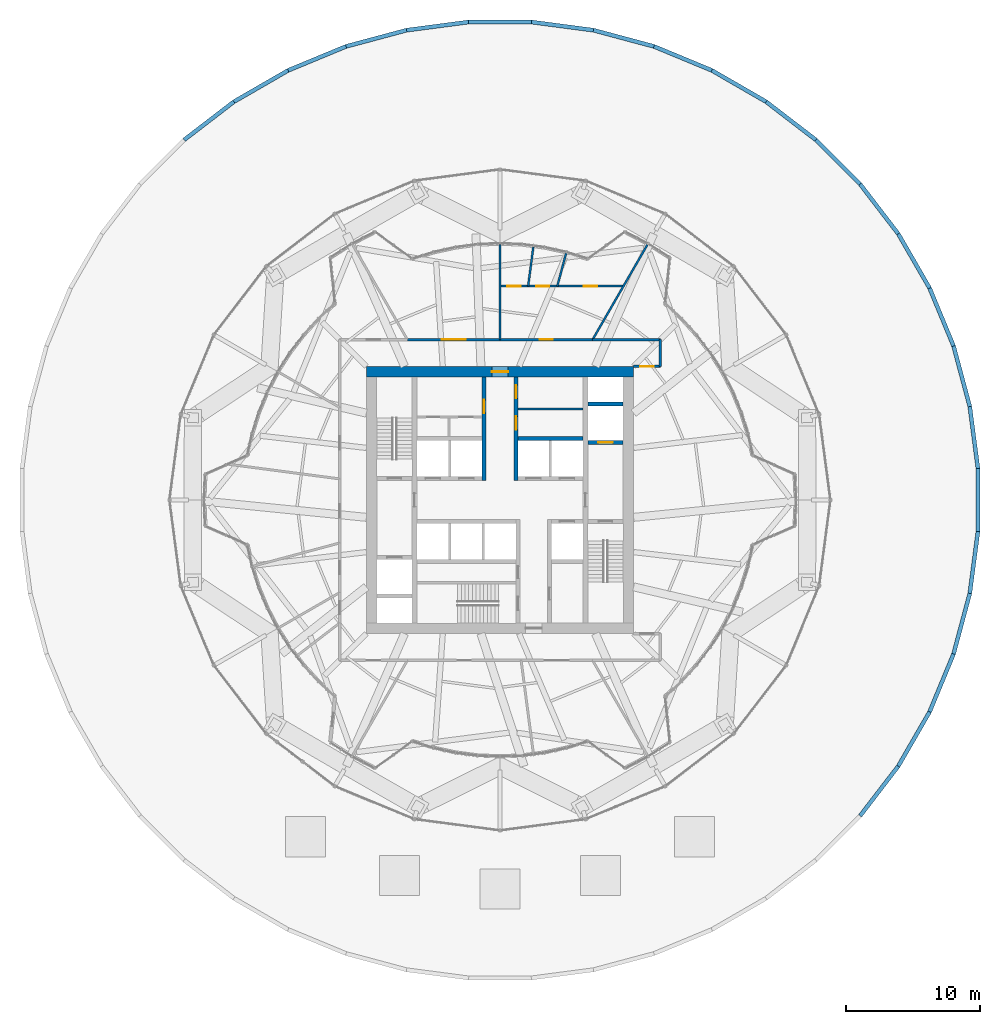
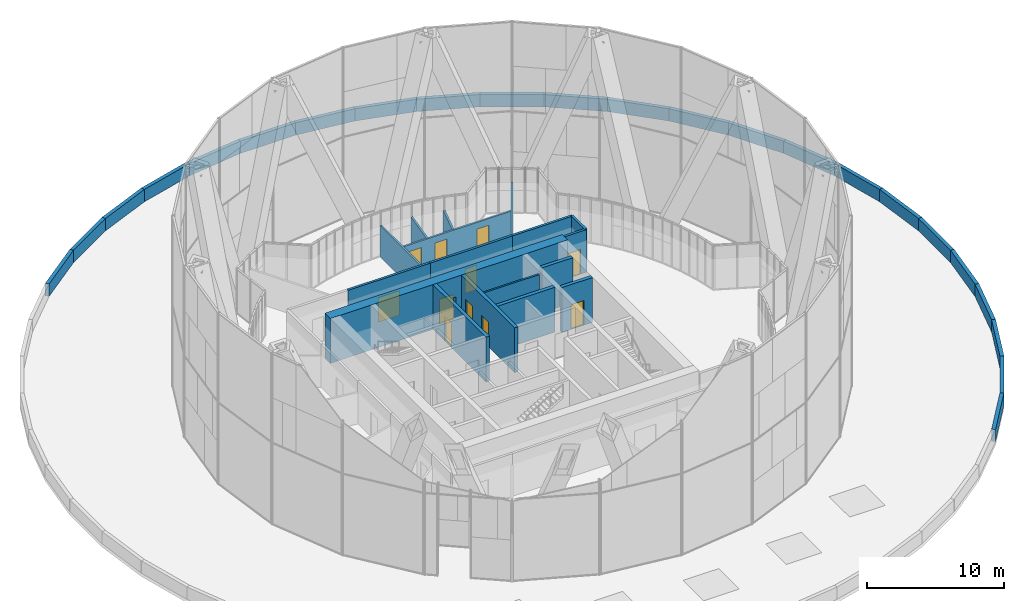
# One storey, part 25 of 27: 40 walls, 11 doors, 11 openings.
"""IFC4 building model written with IfcOpenShell, lengths in metres."""

from ifc_helpers import new_model, si_unit, direction, frame, frame_2d, origin, place, context, subcontext, project, spatial, rectangle, extrude, material, layer, layer_set, type_object, element, fill, save


model = new_model("IFC4")

# Units and contexts
model_context = context("Model", 3, precision=1e-05, world=origin(), true_north=direction((0.0, 1.0)))
body_context = subcontext(model_context, "Body", "Model", "MODEL_VIEW")
ifc_project = project(units=[si_unit("LENGTHUNIT", "METRE"), si_unit("AREAUNIT", "SQUARE_METRE"), si_unit("VOLUMEUNIT", "CUBIC_METRE"), si_unit("PLANEANGLEUNIT", "RADIAN"), si_unit("MASSUNIT", "GRAM", prefix="KILO")], contexts=[model_context])

# Site, building, storey
site_placement = place(None, origin())
site = spatial("IfcSite", under=ifc_project, at=site_placement, CompositionType="ELEMENT")
building_placement = place(site_placement, origin())
building = spatial("IfcBuilding", under=site, at=building_placement, Name="Golbaran Civic Tower", CompositionType="ELEMENT")
storey_placement = place(building_placement, frame((0.0, 0.0, 21.0)))
storey = spatial("IfcBuildingStorey", under=building, at=storey_placement, Name="L04", CompositionType="ELEMENT", Elevation=21.0)

# Wall
ifc_material_1 = material(Name="Concrete block", Category="concrete")
ifc_layer_1 = layer(ifc_material_1, 0.14990234375, Name="Concrete block")
ifc_layer_set_1 = layer_set([ifc_layer_1], Name="Concrete block")
wall_type_1 = type_object("IfcWallType", Name="BLOCKWORK PARTITION 150", PredefinedType="PARTITIONING", material=ifc_layer_set_1)
wall_1_placement = place(storey_placement, frame((1.35009765625, 6.800048828125, 0.0), z_axis=(0.0, 0.0, 1.0), x_axis=(1.0, 0.0, 0.0)))
element("IfcWall", 1, at=wall_1_placement, inside=storey, type_object=wall_type_1, Name="Toilet block partition TN1 L04", PredefinedType="PARTITIONING", context=body_context, shape_type="SweptSolid", body=[
    extrude(rectangle(XDim=4.849853515625, YDim=0.14990234375, at=frame_2d((2.4248046875, 0.0))), origin(), (0.0, 0.0, 1.0), 3.75),
])

# Wall, opening, door
ifc_material_2 = material(Name="Concrete C50/60", Category="concrete")
ifc_layer_2 = layer(ifc_material_2, 0.800048828125, Name="Concrete C50/60")
ifc_layer_set_2 = layer_set([ifc_layer_2], Name="Concrete C50/60")
wall_type_2 = type_object("IfcWallType", Name="CORE WALL CONCRETE 800", PredefinedType="SOLIDWALL", material=ifc_layer_set_2)
wall_2_placement = place(storey_placement, frame((-10.0, 9.60009765625, 0.0), z_axis=(0.0, 0.0, 1.0), x_axis=(1.0, 0.0, 0.0)))
wall_2 = element("IfcWall", 2, at=wall_2_placement, inside=storey, type_object=wall_type_2, Name="Core wall CN L04", PredefinedType="SOLIDWALL", context=body_context, shape_type="SweptSolid", body=[
    extrude(rectangle(XDim=20.0, YDim=0.800048828125, at=frame_2d((10.0, 0.0))), origin(), (0.0, 0.0, 1.0), 4.0),
])
opening_1_placement = place(wall_2_placement, frame((9.39990234375, 0.0, 0.0)))
opening_1 = element("IfcOpeningElement", 3, at=opening_1_placement, cuts=wall_2, Name="Opening L04.CN", PredefinedType="OPENING", context=body_context, shape_type="SweptSolid", body=[
    extrude(rectangle(XDim=1.199951171875, YDim=2.199951171875, at=frame_2d((0.60009765625, 1.10009765625))), frame((0.0, 0.409912109375, 0.0), z_axis=(0.0, -1.0, 0.0), x_axis=(1.0, 0.0, 0.0)), (0.0, 0.0, 1.0), 0.820068359375),
])
ifc_material_3 = material(Name="Timber door set in steel frame", Category="steel")
door_type_1 = type_object("IfcDoorType", Name="CORE DOOR 1200x2200", OperationType="DOUBLE_DOOR_SINGLE_SWING", PredefinedType="DOOR", material=ifc_material_3)
door_1_placement = place(opening_1_placement, origin())
door_1 = element("IfcDoor", 4, at=door_1_placement, inside=storey, type_object=door_type_1, Name="Core door north", OperationType="DOUBLE_DOOR_SINGLE_SWING", OverallHeight=2.199951171875, OverallWidth=1.199951171875, PredefinedType="DOOR", context=body_context, shape_type="SweptSolid", body=[
    extrude(rectangle(XDim=1.199951171875, YDim=2.199951171875, at=frame_2d((0.60009765625, 1.10009765625))), frame((0.0, 0.02490234375, 0.0), z_axis=(0.0, -1.0, 0.0), x_axis=(1.0, 0.0, 0.0)), (0.0, 0.0, 1.0), 0.050048828125),
])
fill(opening_1, door_1)

# Walls
ifc_material_4 = material(Name="Gypsum board on steel studs, fire-rated", Category="steel")
ifc_layer_3 = layer(ifc_material_4, 0.199951171875, Name="Gypsum board on steel studs, fire-rated")
ifc_layer_set_3 = layer_set([ifc_layer_3], Name="Gypsum board on steel studs, fire-rated")
wall_type_3 = type_object("IfcWallType", Name="CORRIDOR WALL 200", PredefinedType="PARTITIONING", material=ifc_layer_set_3)
wall_3_placement = place(storey_placement, frame((12.0, 10.0, 0.0), z_axis=(0.0, 0.0, 1.0), x_axis=(0.0, 1.0, 0.0)))
element("IfcWall", 5, at=wall_3_placement, inside=storey, type_object=wall_type_3, Name="Corridor wall L04", PredefinedType="PARTITIONING", context=body_context, shape_type="SweptSolid", body=[
    extrude(rectangle(XDim=2.0, YDim=0.199951171875, at=frame_2d((1.0, 0.0))), origin(), (0.0, 0.0, 1.0), 3.800048828125),
])
wall_4_placement = place(storey_placement, frame((12.0, 12.0, 0.0), z_axis=(0.0, 0.0, 1.0), x_axis=(-1.0, 0.0, 0.0)))
element("IfcWall", 6, at=wall_4_placement, inside=storey, type_object=wall_type_3, Name="Corridor wall L04", PredefinedType="PARTITIONING", context=body_context, shape_type="SweptSolid", body=[
    extrude(rectangle(XDim=5.07177734375, YDim=0.199951171875, at=frame_2d((2.535888671875, 0.0))), origin(), (0.0, 0.0, 1.0), 3.800048828125),
])

# Wall, opening, door
wall_5_placement = place(storey_placement, frame((6.92822265625, 12.0, 0.0), z_axis=(0.0, 0.0, 1.0), x_axis=(-1.0, 0.0, 0.0)))
wall_5 = element("IfcWall", 7, at=wall_5_placement, inside=storey, type_object=wall_type_3, Name="Corridor wall L04", PredefinedType="PARTITIONING", context=body_context, shape_type="SweptSolid", body=[
    extrude(rectangle(XDim=6.92822265625, YDim=0.199951171875, at=frame_2d((3.464111328125, 0.0))), origin(), (0.0, 0.0, 1.0), 3.800048828125),
])
opening_2_placement = place(wall_5_placement, frame((2.964111328125, 0.0, 0.0)))
opening_2 = element("IfcOpeningElement", 8, at=opening_2_placement, cuts=wall_5, Name="Opening L04.04", PredefinedType="OPENING", context=body_context, shape_type="SweptSolid", body=[
    extrude(rectangle(XDim=1.0, YDim=2.199951171875, at=frame_2d((0.5, 1.10009765625))), frame((0.0, 0.10986328125, 0.0), z_axis=(0.0, -1.0, 0.0), x_axis=(1.0, 0.0, 0.0)), (0.0, 0.0, 1.0), 0.219970703125),
])
door_type_2 = type_object("IfcDoorType", Name="OFFICE DOOR 1000x2200", OperationType="SINGLE_SWING_LEFT", PredefinedType="DOOR", material=ifc_material_3)
door_2_placement = place(opening_2_placement, origin())
door_2 = element("IfcDoor", 9, at=door_2_placement, inside=storey, type_object=door_type_2, Name="Waiting Area door L04", OperationType="SINGLE_SWING_RIGHT", OverallHeight=2.199951171875, OverallWidth=1.0, PredefinedType="DOOR", context=body_context, shape_type="SweptSolid", body=[
    extrude(rectangle(XDim=1.0, YDim=2.199951171875, at=frame_2d((0.5, 1.10009765625))), frame((0.0, 0.02490234375, 0.0), z_axis=(0.0, -1.0, 0.0), x_axis=(1.0, 0.0, 0.0)), (0.0, 0.0, 1.0), 0.050048828125),
])
fill(opening_2, door_2)

wall_6_placement = place(storey_placement, frame((0.0, 12.0, 0.0), z_axis=(0.0, 0.0, 1.0), x_axis=(-1.0, 0.0, 0.0)))
wall_6 = element("IfcWall", 10, at=wall_6_placement, inside=storey, type_object=wall_type_3, Name="Corridor wall L04", PredefinedType="PARTITIONING", context=body_context, shape_type="SweptSolid", body=[
    extrude(rectangle(XDim=6.92822265625, YDim=0.199951171875, at=frame_2d((3.464111328125, 0.0))), origin(), (0.0, 0.0, 1.0), 3.800048828125),
])
opening_3_placement = place(wall_6_placement, frame((2.564208984375, 0.0, 0.0)))
opening_3 = element("IfcOpeningElement", 11, at=opening_3_placement, cuts=wall_6, Name="Opening L04.05", PredefinedType="OPENING", context=body_context, shape_type="SweptSolid", body=[
    extrude(rectangle(XDim=1.800048828125, YDim=2.199951171875, at=frame_2d((0.89990234375, 1.10009765625))), frame((0.0, 0.10986328125, 0.0), z_axis=(0.0, -1.0, 0.0), x_axis=(1.0, 0.0, 0.0)), (0.0, 0.0, 1.0), 0.219970703125),
])
door_type_3 = type_object("IfcDoorType", Name="OFFICE DOUBLE DOOR 1800x2200", OperationType="DOUBLE_DOOR_SINGLE_SWING", PredefinedType="DOOR", material=ifc_material_3)
door_3_placement = place(opening_3_placement, origin())
door_3 = element("IfcDoor", 12, at=door_3_placement, inside=storey, type_object=door_type_3, Name="Open Office door L04", OperationType="DOUBLE_DOOR_SINGLE_SWING", OverallHeight=2.199951171875, OverallWidth=1.800048828125, PredefinedType="DOOR", context=body_context, shape_type="SweptSolid", body=[
    extrude(rectangle(XDim=1.800048828125, YDim=2.199951171875, at=frame_2d((0.89990234375, 1.10009765625))), frame((0.0, 0.02490234375, 0.0), z_axis=(0.0, -1.0, 0.0), x_axis=(1.0, 0.0, 0.0)), (0.0, 0.0, 1.0), 0.050048828125),
])
fill(opening_3, door_3)

wall_7_placement = place(storey_placement, frame((10.0, 10.0, 0.0), z_axis=(0.0, 0.0, 1.0), x_axis=(1.0, 0.0, 0.0)))
wall_7 = element("IfcWall", 13, at=wall_7_placement, inside=storey, type_object=wall_type_3, Name="Corridor end wall L04", PredefinedType="PARTITIONING", context=body_context, shape_type="SweptSolid", body=[
    extrude(rectangle(XDim=2.0, YDim=0.199951171875, at=frame_2d((1.0, 0.0))), origin(), (0.0, 0.0, 1.0), 3.800048828125),
])
opening_4_placement = place(wall_7_placement, frame((0.5, 0.0, 0.0)))
opening_4 = element("IfcOpeningElement", 14, at=opening_4_placement, cuts=wall_7, Name="Opening L04.17", PredefinedType="OPENING", context=body_context, shape_type="SweptSolid", body=[
    extrude(rectangle(XDim=1.0, YDim=2.199951171875, at=frame_2d((0.5, 1.10009765625))), frame((0.0, 0.10986328125, 0.0), z_axis=(0.0, -1.0, 0.0), x_axis=(1.0, 0.0, 0.0)), (0.0, 0.0, 1.0), 0.219970703125),
])
door_4_placement = place(opening_4_placement, origin())
door_4 = element("IfcDoor", 15, at=door_4_placement, inside=storey, type_object=door_type_2, Name="Open Office door L04", OperationType="SINGLE_SWING_LEFT", OverallHeight=2.199951171875, OverallWidth=1.0, PredefinedType="DOOR", context=body_context, shape_type="SweptSolid", body=[
    extrude(rectangle(XDim=1.0, YDim=2.199951171875, at=frame_2d((0.5, 1.10009765625))), frame((0.0, 0.02490234375, 0.0), z_axis=(0.0, -1.0, 0.0), x_axis=(1.0, 0.0, 0.0)), (0.0, 0.0, 1.0), 0.050048828125),
])
fill(opening_4, door_4)

# Walls
ifc_material_5 = material(Name="Gypsum board on steel studs", Category="steel")
ifc_layer_4 = layer(ifc_material_5, 0.14990234375, Name="Gypsum board on steel studs")
ifc_layer_set_4 = layer_set([ifc_layer_4], Name="Gypsum board on steel studs")
wall_type_4 = type_object("IfcWallType", Name="OFFICE PARTITION 150", PredefinedType="PARTITIONING", material=ifc_layer_set_4)
wall_8_placement = place(storey_placement, frame((6.92822265625, 12.0, 0.0), z_axis=(0.0, 0.0, 1.0), x_axis=(0.499995243048, 0.866028150195, 0.0)))
element("IfcWall", 16, at=wall_8_placement, inside=storey, type_object=wall_type_4, Name="Partition 60 L04", PredefinedType="PARTITIONING", context=body_context, shape_type="SweptSolid", body=[
    extrude(rectangle(XDim=8.2119140625, YDim=0.14990234375, at=frame_2d((4.10595703125, 0.0))), origin(), (0.0, 0.0, 1.0), 2.7900390625),
])
wall_9_placement = place(storey_placement, frame((0.0, 12.0, 0.0), z_axis=(0.0, 0.0, 1.0), x_axis=(0.0, 1.0, 0.0)))
element("IfcWall", 17, at=wall_9_placement, inside=storey, type_object=wall_type_4, Name="Partition 90 L04", PredefinedType="PARTITIONING", context=body_context, shape_type="SweptSolid", body=[
    extrude(rectangle(XDim=7.12353515625, YDim=0.14990234375, at=frame_2d((3.561767578125, 0.0))), origin(), (0.0, 0.0, 1.0), 2.7900390625),
])

# Wall, openings, doors
wall_10_placement = place(storey_placement, frame((9.237548828125, 16.0, 0.0), z_axis=(0.0, 0.0, 1.0), x_axis=(-1.0, 0.0, 0.0)))
wall_10 = element("IfcWall", 18, at=wall_10_placement, inside=storey, type_object=wall_type_4, Name="Suite partition L04", PredefinedType="PARTITIONING", context=body_context, shape_type="SweptSolid", body=[
    extrude(rectangle(XDim=9.237548828125, YDim=0.14990234375, at=frame_2d((4.61865234375, 0.0))), origin(), (0.0, 0.0, 1.0), 2.7900390625),
])
opening_5_placement = place(wall_10_placement, frame((1.97509765625, 0.0, 0.0)))
opening_5 = element("IfcOpeningElement", 19, at=opening_5_placement, cuts=wall_10, Name="Opening L04.01", PredefinedType="OPENING", context=body_context, shape_type="SweptSolid", body=[
    extrude(rectangle(XDim=1.0, YDim=2.199951171875, at=frame_2d((0.5, 1.10009765625))), frame((0.0, 0.0849609375, 0.0), z_axis=(0.0, -1.0, 0.0), x_axis=(1.0, 0.0, 0.0)), (0.0, 0.0, 1.0), 0.169921875),
])
opening_6_placement = place(wall_10_placement, frame((5.540771484375, 0.0, 0.0)))
opening_6 = element("IfcOpeningElement", 20, at=opening_6_placement, cuts=wall_10, Name="Opening L04.02", PredefinedType="OPENING", context=body_context, shape_type="SweptSolid", body=[
    extrude(rectangle(XDim=1.0, YDim=2.199951171875, at=frame_2d((0.5, 1.10009765625))), frame((0.0, 0.0849609375, 0.0), z_axis=(0.0, -1.0, 0.0), x_axis=(1.0, 0.0, 0.0)), (0.0, 0.0, 1.0), 0.169921875),
])
opening_7_placement = place(wall_10_placement, frame((7.684326171875, 0.0, 0.0)))
opening_7 = element("IfcOpeningElement", 21, at=opening_7_placement, cuts=wall_10, Name="Opening L04.03", PredefinedType="OPENING", context=body_context, shape_type="SweptSolid", body=[
    extrude(rectangle(XDim=1.0, YDim=2.199951171875, at=frame_2d((0.5, 1.10009765625))), frame((0.0, 0.0849609375, 0.0), z_axis=(0.0, -1.0, 0.0), x_axis=(1.0, 0.0, 0.0)), (0.0, 0.0, 1.0), 0.169921875),
])
door_5_placement = place(opening_5_placement, origin())
door_5 = element("IfcDoor", 22, at=door_5_placement, inside=storey, type_object=door_type_2, Name="Office door L04", OperationType="SINGLE_SWING_LEFT", OverallHeight=2.199951171875, OverallWidth=1.0, PredefinedType="DOOR", context=body_context, shape_type="SweptSolid", body=[
    extrude(rectangle(XDim=1.0, YDim=2.199951171875, at=frame_2d((0.5, 1.10009765625))), frame((0.0, 0.02490234375, 0.0), z_axis=(0.0, -1.0, 0.0), x_axis=(1.0, 0.0, 0.0)), (0.0, 0.0, 1.0), 0.050048828125),
])
fill(opening_5, door_5)
door_6_placement = place(opening_6_placement, origin())
door_6 = element("IfcDoor", 23, at=door_6_placement, inside=storey, type_object=door_type_2, Name="Office door L04", OperationType="SINGLE_SWING_RIGHT", OverallHeight=2.199951171875, OverallWidth=1.0, PredefinedType="DOOR", context=body_context, shape_type="SweptSolid", body=[
    extrude(rectangle(XDim=1.0, YDim=2.199951171875, at=frame_2d((0.5, 1.10009765625))), frame((0.0, 0.02490234375, 0.0), z_axis=(0.0, -1.0, 0.0), x_axis=(1.0, 0.0, 0.0)), (0.0, 0.0, 1.0), 0.050048828125),
])
fill(opening_6, door_6)
door_7_placement = place(opening_7_placement, origin())
door_7 = element("IfcDoor", 24, at=door_7_placement, inside=storey, type_object=door_type_2, Name="Director's Office door L04", OperationType="SINGLE_SWING_RIGHT", OverallHeight=2.199951171875, OverallWidth=1.0, PredefinedType="DOOR", context=body_context, shape_type="SweptSolid", body=[
    extrude(rectangle(XDim=1.0, YDim=2.199951171875, at=frame_2d((0.5, 1.10009765625))), frame((0.0, 0.02490234375, 0.0), z_axis=(0.0, -1.0, 0.0), x_axis=(1.0, 0.0, 0.0)), (0.0, 0.0, 1.0), 0.050048828125),
])
fill(opening_7, door_7)

# Walls
wall_11_placement = place(storey_placement, frame((4.287109375, 16.0, 0.0), z_axis=(0.0, 0.0, 1.0), x_axis=(0.258820329209, 0.965925482213, 0.0)))
element("IfcWall", 25, at=wall_11_placement, inside=storey, type_object=wall_type_4, Name="Partition 75 L04", PredefinedType="PARTITIONING", context=body_context, shape_type="SweptSolid", body=[
    extrude(rectangle(XDim=2.55908203125, YDim=0.14990234375, at=frame_2d((1.279541015625, 0.0))), origin(), (0.0, 0.0, 1.0), 2.7900390625),
])
wall_12_placement = place(storey_placement, frame((2.1064453125, 16.0, 0.0), z_axis=(0.0, 0.0, 1.0), x_axis=(0.130492822968, 0.991449253948, 0.0)))
element("IfcWall", 26, at=wall_12_placement, inside=storey, type_object=wall_type_4, Name="Partition 82.5 L04", PredefinedType="PARTITIONING", context=body_context, shape_type="SweptSolid", body=[
    extrude(rectangle(XDim=2.96728515625, YDim=0.14990234375, at=frame_2d((1.483642578125, 0.0))), origin(), (0.0, 0.0, 1.0), 2.7900390625),
])
ifc_material_6 = material(Name="Terracotta brick", Category="masonry")
ifc_layer_5 = layer(ifc_material_6, 0.300048828125, Name="Terracotta brick")
ifc_layer_set_5 = layer_set([ifc_layer_5], Name="Terracotta brick")
wall_type_5 = type_object("IfcWallType", Name="PARAPET WALL 300", PredefinedType="PARAPET", material=ifc_layer_set_5)
wall_13_placement = place(storey_placement, frame((35.773193359375, 2.3447265625, 0.0), z_axis=(0.0, 0.0, 1.0), x_axis=(-0.130523197803, 0.991445255592, 0.0)))
element("IfcWall", 27, at=wall_13_placement, inside=storey, type_object=wall_type_5, Name="Podium roof parapet 1", PredefinedType="PARAPET", context=body_context, shape_type="SweptSolid", body=[
    extrude(rectangle(XDim=4.689208984375, YDim=0.300048828125, at=frame_2d((2.3447265625, 0.0))), origin(), (0.0, 0.0, 1.0), 1.10009765625),
])
wall_14_placement = place(storey_placement, frame((35.1611328125, 6.993896484375, 0.0), z_axis=(0.0, 0.0, 1.0), x_axis=(-0.258793334411, 0.965932715081, 0.0)))
element("IfcWall", 28, at=wall_14_placement, inside=storey, type_object=wall_type_5, Name="Podium roof parapet 2", PredefinedType="PARAPET", context=body_context, shape_type="SweptSolid", body=[
    extrude(rectangle(XDim=4.689453125, YDim=0.300048828125, at=frame_2d((2.3447265625, 0.0))), origin(), (0.0, 0.0, 1.0), 1.10009765625),
])
wall_15_placement = place(storey_placement, frame((33.947509765625, 11.523681640625, 0.0), z_axis=(0.0, 0.0, 1.0), x_axis=(-0.382718109354, 0.92386516807, 0.0)))
element("IfcWall", 29, at=wall_15_placement, inside=storey, type_object=wall_type_5, Name="Podium roof parapet 3", PredefinedType="PARAPET", context=body_context, shape_type="SweptSolid", body=[
    extrude(rectangle(XDim=4.689208984375, YDim=0.300048828125, at=frame_2d((2.3447265625, 0.0))), origin(), (0.0, 0.0, 1.0), 1.10009765625),
])
wall_16_placement = place(storey_placement, frame((32.15283203125, 15.85595703125, 0.0), z_axis=(0.0, 0.0, 1.0), x_axis=(-0.499991342483, 0.866030402146, 0.0)))
element("IfcWall", 30, at=wall_16_placement, inside=storey, type_object=wall_type_5, Name="Podium roof parapet 4", PredefinedType="PARAPET", context=body_context, shape_type="SweptSolid", body=[
    extrude(rectangle(XDim=4.689453125, YDim=0.300048828125, at=frame_2d((2.3447265625, 0.0))), origin(), (0.0, 0.0, 1.0), 1.10009765625),
])
wall_17_placement = place(storey_placement, frame((29.80810546875, 19.917236328125, 0.0), z_axis=(0.0, 0.0, 1.0), x_axis=(-0.608776874879, 0.793341488019, 0.0)))
element("IfcWall", 31, at=wall_17_placement, inside=storey, type_object=wall_type_5, Name="Podium roof parapet 5", PredefinedType="PARAPET", context=body_context, shape_type="SweptSolid", body=[
    extrude(rectangle(XDim=4.689208984375, YDim=0.300048828125, at=frame_2d((2.3447265625, 0.0))), origin(), (0.0, 0.0, 1.0), 1.10009765625),
])
wall_18_placement = place(storey_placement, frame((26.953369140625, 23.637451171875, 0.0), z_axis=(0.0, 0.0, 1.0), x_axis=(-0.707106781187, 0.707106781187, 0.0)))
element("IfcWall", 32, at=wall_18_placement, inside=storey, type_object=wall_type_5, Name="Podium roof parapet 6", PredefinedType="PARAPET", context=body_context, shape_type="SweptSolid", body=[
    extrude(rectangle(XDim=4.689453125, YDim=0.300048828125, at=frame_2d((2.3447265625, 0.0))), origin(), (0.0, 0.0, 1.0), 1.10009765625),
])
wall_19_placement = place(storey_placement, frame((23.637451171875, 26.953369140625, 0.0), z_axis=(0.0, 0.0, 1.0), x_axis=(-0.793341488019, 0.608776874879, 0.0)))
element("IfcWall", 33, at=wall_19_placement, inside=storey, type_object=wall_type_5, Name="Podium roof parapet 7", PredefinedType="PARAPET", context=body_context, shape_type="SweptSolid", body=[
    extrude(rectangle(XDim=4.689208984375, YDim=0.300048828125, at=frame_2d((2.3447265625, 0.0))), origin(), (0.0, 0.0, 1.0), 1.10009765625),
])
wall_20_placement = place(storey_placement, frame((19.917236328125, 29.80810546875, 0.0), z_axis=(0.0, 0.0, 1.0), x_axis=(-0.866030402146, 0.499991342483, 0.0)))
element("IfcWall", 34, at=wall_20_placement, inside=storey, type_object=wall_type_5, Name="Podium roof parapet 8", PredefinedType="PARAPET", context=body_context, shape_type="SweptSolid", body=[
    extrude(rectangle(XDim=4.689453125, YDim=0.300048828125, at=frame_2d((2.3447265625, 0.0))), origin(), (0.0, 0.0, 1.0), 1.10009765625),
])
wall_21_placement = place(storey_placement, frame((15.85595703125, 32.15283203125, 0.0), z_axis=(0.0, 0.0, 1.0), x_axis=(-0.92386516807, 0.382718109354, 0.0)))
element("IfcWall", 35, at=wall_21_placement, inside=storey, type_object=wall_type_5, Name="Podium roof parapet 9", PredefinedType="PARAPET", context=body_context, shape_type="SweptSolid", body=[
    extrude(rectangle(XDim=4.689208984375, YDim=0.300048828125, at=frame_2d((2.3447265625, 0.0))), origin(), (0.0, 0.0, 1.0), 1.10009765625),
])
wall_22_placement = place(storey_placement, frame((11.523681640625, 33.947509765625, 0.0), z_axis=(0.0, 0.0, 1.0), x_axis=(-0.965932715081, 0.258793334411, 0.0)))
element("IfcWall", 36, at=wall_22_placement, inside=storey, type_object=wall_type_5, Name="Podium roof parapet 10", PredefinedType="PARAPET", context=body_context, shape_type="SweptSolid", body=[
    extrude(rectangle(XDim=4.689453125, YDim=0.300048828125, at=frame_2d((2.3447265625, 0.0))), origin(), (0.0, 0.0, 1.0), 1.10009765625),
])
wall_23_placement = place(storey_placement, frame((6.993896484375, 35.1611328125, 0.0), z_axis=(0.0, 0.0, 1.0), x_axis=(-0.991445255592, 0.130523197803, 0.0)))
element("IfcWall", 37, at=wall_23_placement, inside=storey, type_object=wall_type_5, Name="Podium roof parapet 11", PredefinedType="PARAPET", context=body_context, shape_type="SweptSolid", body=[
    extrude(rectangle(XDim=4.689208984375, YDim=0.300048828125, at=frame_2d((2.3447265625, 0.0))), origin(), (0.0, 0.0, 1.0), 1.10009765625),
])
wall_24_placement = place(storey_placement, frame((2.3447265625, 35.773193359375, 0.0), z_axis=(0.0, 0.0, 1.0), x_axis=(-1.0, 0.0, 0.0)))
element("IfcWall", 38, at=wall_24_placement, inside=storey, type_object=wall_type_5, Name="Podium roof parapet 12", PredefinedType="PARAPET", context=body_context, shape_type="SweptSolid", body=[
    extrude(rectangle(XDim=4.689453125, YDim=0.300048828125, at=frame_2d((2.3447265625, 0.0))), origin(), (0.0, 0.0, 1.0), 1.10009765625),
])
wall_25_placement = place(storey_placement, frame((-2.3447265625, 35.773193359375, 0.0), z_axis=(0.0, 0.0, 1.0), x_axis=(-0.991445255592, -0.130523197803, 0.0)))
element("IfcWall", 39, at=wall_25_placement, inside=storey, type_object=wall_type_5, Name="Podium roof parapet 13", PredefinedType="PARAPET", context=body_context, shape_type="SweptSolid", body=[
    extrude(rectangle(XDim=4.689208984375, YDim=0.300048828125, at=frame_2d((2.3447265625, 0.0))), origin(), (0.0, 0.0, 1.0), 1.10009765625),
])
wall_26_placement = place(storey_placement, frame((-6.993896484375, 35.1611328125, 0.0), z_axis=(0.0, 0.0, 1.0), x_axis=(-0.965932715081, -0.258793334411, 0.0)))
element("IfcWall", 40, at=wall_26_placement, inside=storey, type_object=wall_type_5, Name="Podium roof parapet 14", PredefinedType="PARAPET", context=body_context, shape_type="SweptSolid", body=[
    extrude(rectangle(XDim=4.689453125, YDim=0.300048828125, at=frame_2d((2.3447265625, 0.0))), origin(), (0.0, 0.0, 1.0), 1.10009765625),
])
wall_27_placement = place(storey_placement, frame((-11.523681640625, 33.947509765625, 0.0), z_axis=(0.0, 0.0, 1.0), x_axis=(-0.92386516807, -0.382718109354, 0.0)))
element("IfcWall", 41, at=wall_27_placement, inside=storey, type_object=wall_type_5, Name="Podium roof parapet 15", PredefinedType="PARAPET", context=body_context, shape_type="SweptSolid", body=[
    extrude(rectangle(XDim=4.689208984375, YDim=0.300048828125, at=frame_2d((2.3447265625, 0.0))), origin(), (0.0, 0.0, 1.0), 1.10009765625),
])
wall_28_placement = place(storey_placement, frame((-15.85595703125, 32.15283203125, 0.0), z_axis=(0.0, 0.0, 1.0), x_axis=(-0.866030402146, -0.499991342483, 0.0)))
element("IfcWall", 42, at=wall_28_placement, inside=storey, type_object=wall_type_5, Name="Podium roof parapet 16", PredefinedType="PARAPET", context=body_context, shape_type="SweptSolid", body=[
    extrude(rectangle(XDim=4.689453125, YDim=0.300048828125, at=frame_2d((2.3447265625, 0.0))), origin(), (0.0, 0.0, 1.0), 1.10009765625),
])
for number, where, z_axis, x_axis, name in (
    (43, (-19.917236328125, 29.80810546875, 0.0), (0.0, 0.0, 1.0), (-0.793341488019, -0.608776874879, 0.0), "Podium roof parapet 17"),
    (44, (26.953369140625, -23.637451171875, 0.0), (0.0, 0.0, 1.0), (0.608776874879, 0.793341488019, 0.0), "Podium roof parapet 43"),
):
    element("IfcWall", number, at=place(storey_placement, frame(where, z_axis=z_axis, x_axis=x_axis)), inside=storey, type_object=wall_type_5, Name=name, PredefinedType="PARAPET", context=body_context, shape_type="SweptSolid", body=[
        extrude(rectangle(XDim=4.689208984375, YDim=0.300048828125, at=frame_2d((2.3447265625, 0.0))), origin(), (0.0, 0.0, 1.0), 1.10009765625),
    ])
wall_29_placement = place(storey_placement, frame((29.80810546875, -19.917236328125, 0.0), z_axis=(0.0, 0.0, 1.0), x_axis=(0.499991342483, 0.866030402146, 0.0)))
element("IfcWall", 45, at=wall_29_placement, inside=storey, type_object=wall_type_5, Name="Podium roof parapet 44", PredefinedType="PARAPET", context=body_context, shape_type="SweptSolid", body=[
    extrude(rectangle(XDim=4.689453125, YDim=0.300048828125, at=frame_2d((2.3447265625, 0.0))), origin(), (0.0, 0.0, 1.0), 1.10009765625),
])
wall_30_placement = place(storey_placement, frame((32.15283203125, -15.85595703125, 0.0), z_axis=(0.0, 0.0, 1.0), x_axis=(0.382718109354, 0.92386516807, 0.0)))
element("IfcWall", 46, at=wall_30_placement, inside=storey, type_object=wall_type_5, Name="Podium roof parapet 45", PredefinedType="PARAPET", context=body_context, shape_type="SweptSolid", body=[
    extrude(rectangle(XDim=4.689208984375, YDim=0.300048828125, at=frame_2d((2.3447265625, 0.0))), origin(), (0.0, 0.0, 1.0), 1.10009765625),
])
wall_31_placement = place(storey_placement, frame((33.947509765625, -11.523681640625, 0.0), z_axis=(0.0, 0.0, 1.0), x_axis=(0.258793334411, 0.965932715081, 0.0)))
element("IfcWall", 47, at=wall_31_placement, inside=storey, type_object=wall_type_5, Name="Podium roof parapet 46", PredefinedType="PARAPET", context=body_context, shape_type="SweptSolid", body=[
    extrude(rectangle(XDim=4.689453125, YDim=0.300048828125, at=frame_2d((2.3447265625, 0.0))), origin(), (0.0, 0.0, 1.0), 1.10009765625),
])
wall_32_placement = place(storey_placement, frame((35.1611328125, -6.993896484375, 0.0), z_axis=(0.0, 0.0, 1.0), x_axis=(0.130523197803, 0.991445255592, 0.0)))
element("IfcWall", 48, at=wall_32_placement, inside=storey, type_object=wall_type_5, Name="Podium roof parapet 47", PredefinedType="PARAPET", context=body_context, shape_type="SweptSolid", body=[
    extrude(rectangle(XDim=4.689208984375, YDim=0.300048828125, at=frame_2d((2.3447265625, 0.0))), origin(), (0.0, 0.0, 1.0), 1.10009765625),
])
wall_33_placement = place(storey_placement, frame((35.773193359375, -2.3447265625, 0.0), z_axis=(0.0, 0.0, 1.0), x_axis=(0.0, 1.0, 0.0)))
element("IfcWall", 49, at=wall_33_placement, inside=storey, type_object=wall_type_5, Name="Podium roof parapet 48", PredefinedType="PARAPET", context=body_context, shape_type="SweptSolid", body=[
    extrude(rectangle(XDim=4.689453125, YDim=0.300048828125, at=frame_2d((2.3447265625, 0.0))), origin(), (0.0, 0.0, 1.0), 1.10009765625),
])
ifc_layer_6 = layer(ifc_material_2, 0.300048828125, Name="Concrete C50/60")
ifc_layer_set_6 = layer_set([ifc_layer_6], Name="Concrete C50/60")
wall_type_6 = type_object("IfcWallType", Name="SHAFT WALL CONCRETE 300", PredefinedType="SOLIDWALL", material=ifc_layer_set_6)
wall_34_placement = place(storey_placement, frame((1.35009765625, 4.60009765625, 0.0), z_axis=(0.0, 0.0, 1.0), x_axis=(1.0, 0.0, 0.0)))
element("IfcWall", 50, at=wall_34_placement, inside=storey, type_object=wall_type_6, Name="Core wall BNE L04", PredefinedType="SOLIDWALL", context=body_context, shape_type="SweptSolid", body=[
    extrude(rectangle(XDim=4.849853515625, YDim=0.300048828125, at=frame_2d((2.4248046875, 0.0))), origin(), (0.0, 0.0, 1.0), 4.0),
])

# Wall, opening, door
wall_35_placement = place(storey_placement, frame((-1.199951171875, 1.449951171875, 0.0), z_axis=(0.0, 0.0, 1.0), x_axis=(0.0, 1.0, 0.0)))
wall_35 = element("IfcWall", 51, at=wall_35_placement, inside=storey, type_object=wall_type_6, Name="Core wall PNW L04", PredefinedType="SOLIDWALL", context=body_context, shape_type="SweptSolid", body=[
    extrude(rectangle(XDim=7.75, YDim=0.300048828125, at=frame_2d((3.875, 0.0))), origin(), (0.0, 0.0, 1.0), 4.0),
])
opening_8_placement = place(wall_35_placement, frame((5.050048828125, 0.0, 0.0)))
opening_8 = element("IfcOpeningElement", 52, at=opening_8_placement, cuts=wall_35, Name="Opening L04.WCM", PredefinedType="OPENING", context=body_context, shape_type="SweptSolid", body=[
    extrude(rectangle(XDim=1.0, YDim=2.199951171875, at=frame_2d((0.5, 1.10009765625))), frame((0.0, 0.159912109375, 0.0), z_axis=(0.0, -1.0, 0.0), x_axis=(1.0, 0.0, 0.0)), (0.0, 0.0, 1.0), 0.320068359375),
])
door_type_4 = type_object("IfcDoorType", Name="TOILET DOOR 1000x2200", OperationType="SINGLE_SWING_LEFT", PredefinedType="DOOR", material=ifc_material_3)
door_8_placement = place(opening_8_placement, origin())
door_8 = element("IfcDoor", 53, at=door_8_placement, inside=storey, type_object=door_type_4, Name="North-west toilet block door", OperationType="SINGLE_SWING_RIGHT", OverallHeight=2.199951171875, OverallWidth=1.0, PredefinedType="DOOR", context=body_context, shape_type="SweptSolid", body=[
    extrude(rectangle(XDim=1.0, YDim=2.199951171875, at=frame_2d((0.5, 1.10009765625))), frame((0.0, 0.02490234375, 0.0), z_axis=(0.0, -1.0, 0.0), x_axis=(1.0, 0.0, 0.0)), (0.0, 0.0, 1.0), 0.050048828125),
])
fill(opening_8, door_8)

# Wall, openings, doors
wall_36_placement = place(storey_placement, frame((1.199951171875, 1.449951171875, 0.0), z_axis=(0.0, 0.0, 1.0), x_axis=(0.0, 1.0, 0.0)))
wall_36 = element("IfcWall", 54, at=wall_36_placement, inside=storey, type_object=wall_type_6, Name="Core wall PNE L04", PredefinedType="SOLIDWALL", context=body_context, shape_type="SweptSolid", body=[
    extrude(rectangle(XDim=7.75, YDim=0.300048828125, at=frame_2d((3.875, 0.0))), origin(), (0.0, 0.0, 1.0), 4.0),
])
opening_9_placement = place(wall_36_placement, frame((3.800048828125, 0.0, 0.0)))
opening_9 = element("IfcOpeningElement", 55, at=opening_9_placement, cuts=wall_36, Name="Opening L04.WCA", PredefinedType="OPENING", context=body_context, shape_type="SweptSolid", body=[
    extrude(rectangle(XDim=1.0, YDim=2.199951171875, at=frame_2d((0.5, 1.10009765625))), frame((0.0, 0.159912109375, 0.0), z_axis=(0.0, -1.0, 0.0), x_axis=(1.0, 0.0, 0.0)), (0.0, 0.0, 1.0), 0.320068359375),
])
opening_10_placement = place(wall_36_placement, frame((6.14990234375, 0.0, 0.0)))
opening_10 = element("IfcOpeningElement", 56, at=opening_10_placement, cuts=wall_36, Name="Opening L04.WCF", PredefinedType="OPENING", context=body_context, shape_type="SweptSolid", body=[
    extrude(rectangle(XDim=1.0, YDim=2.199951171875, at=frame_2d((0.5, 1.10009765625))), frame((0.0, 0.159912109375, 0.0), z_axis=(0.0, -1.0, 0.0), x_axis=(1.0, 0.0, 0.0)), (0.0, 0.0, 1.0), 0.320068359375),
])
door_9_placement = place(opening_9_placement, origin())
door_9 = element("IfcDoor", 57, at=door_9_placement, inside=storey, type_object=door_type_4, Name="Accessible WC door", OperationType="SINGLE_SWING_RIGHT", OverallHeight=2.199951171875, OverallWidth=1.0, PredefinedType="DOOR", context=body_context, shape_type="SweptSolid", body=[
    extrude(rectangle(XDim=1.0, YDim=2.199951171875, at=frame_2d((0.5, 1.10009765625))), frame((0.0, 0.02490234375, 0.0), z_axis=(0.0, -1.0, 0.0), x_axis=(1.0, 0.0, 0.0)), (0.0, 0.0, 1.0), 0.050048828125),
])
fill(opening_9, door_9)
door_10_placement = place(opening_10_placement, origin())
door_10 = element("IfcDoor", 58, at=door_10_placement, inside=storey, type_object=door_type_4, Name="North-east toilet block door", OperationType="SINGLE_SWING_RIGHT", OverallHeight=2.199951171875, OverallWidth=1.0, PredefinedType="DOOR", context=body_context, shape_type="SweptSolid", body=[
    extrude(rectangle(XDim=1.0, YDim=2.199951171875, at=frame_2d((0.5, 1.10009765625))), frame((0.0, 0.02490234375, 0.0), z_axis=(0.0, -1.0, 0.0), x_axis=(1.0, 0.0, 0.0)), (0.0, 0.0, 1.0), 0.050048828125),
])
fill(opening_10, door_10)

# Wall, opening, door
wall_37_placement = place(storey_placement, frame((6.60009765625, 4.300048828125, 0.0), z_axis=(0.0, 0.0, 1.0), x_axis=(1.0, 0.0, 0.0)))
wall_37 = element("IfcWall", 59, at=wall_37_placement, inside=storey, type_object=wall_type_6, Name="Core wall XE2 L04", PredefinedType="SOLIDWALL", context=body_context, shape_type="SweptSolid", body=[
    extrude(rectangle(XDim=2.599853515625, YDim=0.300048828125, at=frame_2d((1.2998046875, 0.0))), origin(), (0.0, 0.0, 1.0), 4.0),
])
opening_11_placement = place(wall_37_placement, frame((0.75, 0.0, 0.0)))
opening_11 = element("IfcOpeningElement", 60, at=opening_11_placement, cuts=wall_37, Name="Opening L04.LD-F2", PredefinedType="OPENING", context=body_context, shape_type="SweptSolid", body=[
    extrude(rectangle(XDim=1.10009765625, YDim=2.199951171875, at=frame_2d((0.550048828125, 1.10009765625))), frame((0.0, 0.159912109375, 0.0), z_axis=(0.0, -1.0, 0.0), x_axis=(1.0, 0.0, 0.0)), (0.0, 0.0, 1.0), 0.320068359375),
])
ifc_material_7 = material(Name="Stainless steel", Category="steel")
door_type_5 = type_object("IfcDoorType", Name="LIFT LANDING DOOR 1100x2200", OperationType="SLIDING_TO_LEFT", PredefinedType="DOOR", material=ifc_material_7)
door_11_placement = place(opening_11_placement, origin())
door_11 = element("IfcDoor", 61, at=door_11_placement, inside=storey, type_object=door_type_5, Name="Lift landing door F2", OperationType="SLIDING_TO_LEFT", OverallHeight=2.199951171875, OverallWidth=1.10009765625, PredefinedType="DOOR", context=body_context, shape_type="SweptSolid", body=[
    extrude(rectangle(XDim=1.10009765625, YDim=2.199951171875, at=frame_2d((0.550048828125, 1.10009765625))), frame((0.0, 0.02490234375, 0.0), z_axis=(0.0, -1.0, 0.0), x_axis=(1.0, 0.0, 0.0)), (0.0, 0.0, 1.0), 0.050048828125),
])
fill(opening_11, door_11)

# Wall
wall_38_placement = place(storey_placement, frame((6.60009765625, 7.199951171875, 0.0), z_axis=(0.0, 0.0, 1.0), x_axis=(1.0, 0.0, 0.0)))
element("IfcWall", 62, at=wall_38_placement, inside=storey, type_object=wall_type_6, Name="Core wall XE3 L04", PredefinedType="SOLIDWALL", context=body_context, shape_type="SweptSolid", body=[
    extrude(rectangle(XDim=2.599853515625, YDim=0.300048828125, at=frame_2d((1.2998046875, 0.0))), origin(), (0.0, 0.0, 1.0), 4.0),
])

save(model, "model.ifc")
